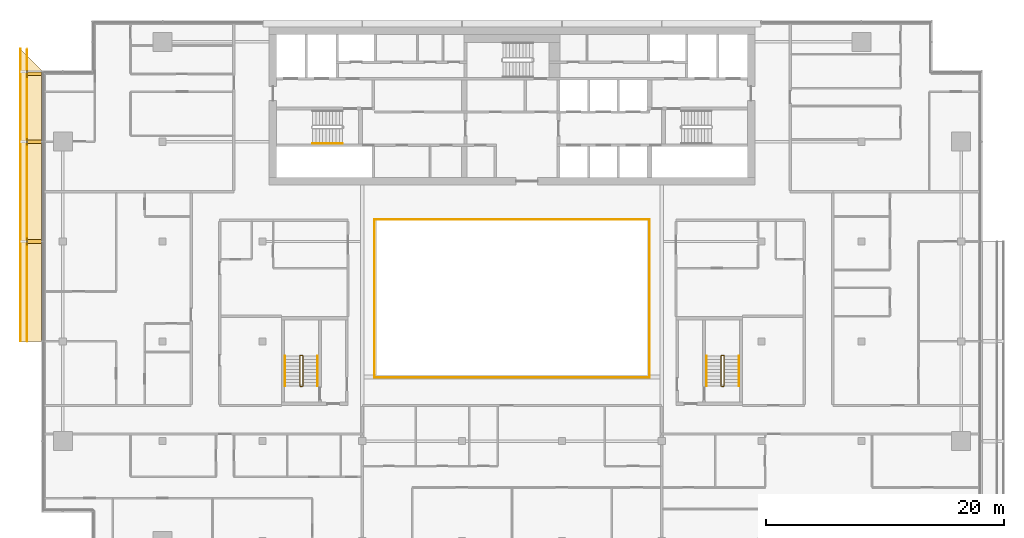
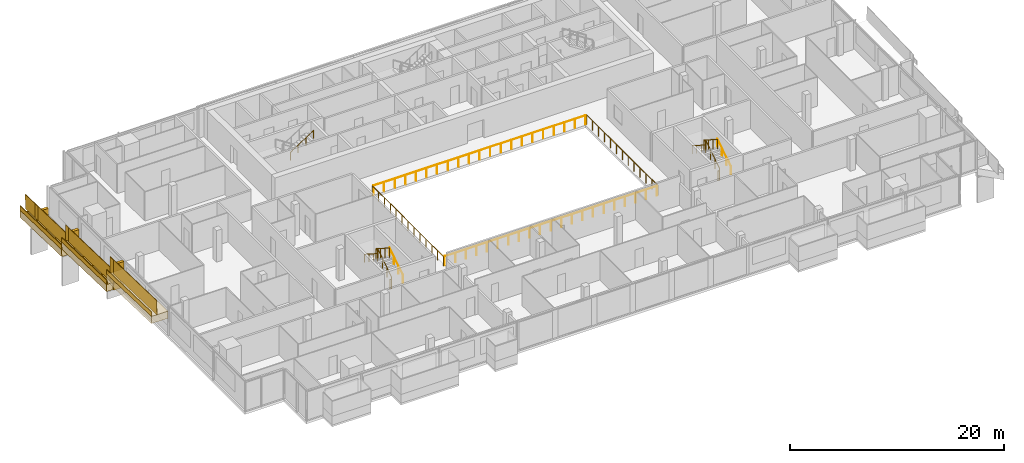
# One storey, part 27 of 29: 17 railings, 9 coverings.
"""IFC4 building model written with IfcOpenShell, lengths in metres."""

from ifc_helpers import new_model, si_unit, direction, frame, origin, origin_2d, place, context, subcontext, project, spatial, polyline, rectangle, circle, outline, extrude, material, layer, layer_set, type_object, element, save


model = new_model("IFC4")

# Units and contexts
model_context = context("Model", 3, precision=1e-05, world=origin(), true_north=direction((0.0, 1.0)))
body_context = subcontext(model_context, "Body", "Model", "MODEL_VIEW")
ifc_project = project(units=[si_unit("LENGTHUNIT", "METRE"), si_unit("AREAUNIT", "SQUARE_METRE"), si_unit("VOLUMEUNIT", "CUBIC_METRE"), si_unit("PLANEANGLEUNIT", "RADIAN"), si_unit("MASSUNIT", "GRAM", prefix="KILO")], contexts=[model_context])

# Site, building, storey
site_placement = place(None, origin())
site = spatial("IfcSite", under=ifc_project, at=site_placement, CompositionType="ELEMENT")
building_placement = place(site_placement, origin())
building = spatial("IfcBuilding", under=site, at=building_placement, Name="Saffron Gate Tower", CompositionType="ELEMENT")
storey_placement = place(building_placement, frame((0.0, 0.0, 219.89990234375)))
storey = spatial("IfcBuildingStorey", under=building, at=storey_placement, Name="L53", CompositionType="ELEMENT", Elevation=219.89990234375)

# Railings
ifc_material_1 = material(Name="Stainless steel and laminated glass", Category="steel")
railing_type_1 = type_object("IfcRailingType", Name="AG1 Atrium edge guard 1100", PredefinedType="GUARDRAIL", material=ifc_material_1)
railing_1_placement = place(storey_placement, frame((76.02001953125, 45.5400390625, 0.0)))
element("IfcRailing", 1, at=railing_1_placement, inside=storey, type_object=railing_type_1, Name="Guard D2-1", PredefinedType="GUARDRAIL", context=body_context, shape_type="SweptSolid", body=[
    extrude(circle(Radius=0.02392578125, at=origin_2d()), frame((0.0, 0.0, 1.076171875), z_axis=(0.0, 1.0, 0.0), x_axis=(-1.0, 0.0, 0.0)), (0.0, 0.0, 1.0), 13.320068359375),
    extrude(circle(Radius=0.02099609375, at=origin_2d()), origin(), (0.0, 0.0, 1.0), 1.052001953125),
    extrude(circle(Radius=0.02099609375, at=origin_2d()), frame((0.0, 1.110107421875, 0.0)), (0.0, 0.0, 1.0), 1.052001953125),
    extrude(circle(Radius=0.02099609375, at=origin_2d()), frame((0.0, 2.219970703125, 0.0)), (0.0, 0.0, 1.0), 1.052001953125),
    extrude(circle(Radius=0.02099609375, at=origin_2d()), frame((0.0, 3.330078125, 0.0)), (0.0, 0.0, 1.0), 1.052001953125),
    extrude(circle(Radius=0.02099609375, at=origin_2d()), frame((0.0, 4.43994140625, 0.0)), (0.0, 0.0, 1.0), 1.052001953125),
    extrude(circle(Radius=0.02099609375, at=origin_2d()), frame((0.0, 5.550048828125, 0.0)), (0.0, 0.0, 1.0), 1.052001953125),
    extrude(circle(Radius=0.02099609375, at=origin_2d()), frame((0.0, 6.66015625, 0.0)), (0.0, 0.0, 1.0), 1.052001953125),
    extrude(circle(Radius=0.02099609375, at=origin_2d()), frame((0.0, 7.77001953125, 0.0)), (0.0, 0.0, 1.0), 1.052001953125),
    extrude(circle(Radius=0.02099609375, at=origin_2d()), frame((0.0, 8.880126953125, 0.0)), (0.0, 0.0, 1.0), 1.052001953125),
    extrude(circle(Radius=0.02099609375, at=origin_2d()), frame((0.0, 9.989990234375, 0.0)), (0.0, 0.0, 1.0), 1.052001953125),
    extrude(circle(Radius=0.02099609375, at=origin_2d()), frame((0.0, 11.10009765625, 0.0)), (0.0, 0.0, 1.0), 1.052001953125),
    extrude(circle(Radius=0.02099609375, at=origin_2d()), frame((0.0, 12.2099609375, 0.0)), (0.0, 0.0, 1.0), 1.052001953125),
    extrude(circle(Radius=0.02099609375, at=origin_2d()), frame((0.0, 13.320068359375, 0.0)), (0.0, 0.0, 1.0), 1.052001953125),
])
railing_2_placement = place(storey_placement, frame((76.139892578125, 58.860107421875, 0.0)))
element("IfcRailing", 2, at=railing_2_placement, inside=storey, type_object=railing_type_1, Name="Guard D2-2", PredefinedType="GUARDRAIL", context=body_context, shape_type="SweptSolid", body=[
    extrude(circle(Radius=0.02392578125, at=origin_2d()), frame((0.0, 0.0, 1.076171875), z_axis=(1.0, 0.0, 0.0), x_axis=(0.0, 1.0, 0.0)), (0.0, 0.0, 1.0), 22.920166015625),
    extrude(circle(Radius=0.02099609375, at=origin_2d()), origin(), (0.0, 0.0, 1.0), 1.052001953125),
    extrude(circle(Radius=0.02099609375, at=origin_2d()), frame((1.14599609375, 0.0, 0.0)), (0.0, 0.0, 1.0), 1.052001953125),
    extrude(circle(Radius=0.02099609375, at=origin_2d()), frame((2.2919921875, 0.0, 0.0)), (0.0, 0.0, 1.0), 1.052001953125),
    extrude(circle(Radius=0.02099609375, at=origin_2d()), frame((3.43798828125, 0.0, 0.0)), (0.0, 0.0, 1.0), 1.052001953125),
    extrude(circle(Radius=0.02099609375, at=origin_2d()), frame((4.583984375, 0.0, 0.0)), (0.0, 0.0, 1.0), 1.052001953125),
    extrude(circle(Radius=0.02099609375, at=origin_2d()), frame((5.72998046875, 0.0, 0.0)), (0.0, 0.0, 1.0), 1.052001953125),
    extrude(circle(Radius=0.02099609375, at=origin_2d()), frame((6.8759765625, 0.0, 0.0)), (0.0, 0.0, 1.0), 1.052001953125),
    extrude(circle(Radius=0.02099609375, at=origin_2d()), frame((8.02197265625, 0.0, 0.0)), (0.0, 0.0, 1.0), 1.052001953125),
    extrude(circle(Radius=0.02099609375, at=origin_2d()), frame((9.16796875, 0.0, 0.0)), (0.0, 0.0, 1.0), 1.052001953125),
    extrude(circle(Radius=0.02099609375, at=origin_2d()), frame((10.31396484375, 0.0, 0.0)), (0.0, 0.0, 1.0), 1.052001953125),
    extrude(circle(Radius=0.02099609375, at=origin_2d()), frame((11.4599609375, 0.0, 0.0)), (0.0, 0.0, 1.0), 1.052001953125),
    extrude(circle(Radius=0.02099609375, at=origin_2d()), frame((12.606201171875, 0.0, 0.0)), (0.0, 0.0, 1.0), 1.052001953125),
    extrude(circle(Radius=0.02099609375, at=origin_2d()), frame((13.752197265625, 0.0, 0.0)), (0.0, 0.0, 1.0), 1.052001953125),
    extrude(circle(Radius=0.02099609375, at=origin_2d()), frame((14.898193359375, 0.0, 0.0)), (0.0, 0.0, 1.0), 1.052001953125),
    extrude(circle(Radius=0.02099609375, at=origin_2d()), frame((16.044189453125, 0.0, 0.0)), (0.0, 0.0, 1.0), 1.052001953125),
    extrude(circle(Radius=0.02099609375, at=origin_2d()), frame((17.190185546875, 0.0, 0.0)), (0.0, 0.0, 1.0), 1.052001953125),
    extrude(circle(Radius=0.02099609375, at=origin_2d()), frame((18.336181640625, 0.0, 0.0)), (0.0, 0.0, 1.0), 1.052001953125),
    extrude(circle(Radius=0.02099609375, at=origin_2d()), frame((19.482177734375, 0.0, 0.0)), (0.0, 0.0, 1.0), 1.052001953125),
    extrude(circle(Radius=0.02099609375, at=origin_2d()), frame((20.628173828125, 0.0, 0.0)), (0.0, 0.0, 1.0), 1.052001953125),
    extrude(circle(Radius=0.02099609375, at=origin_2d()), frame((21.774169921875, 0.0, 0.0)), (0.0, 0.0, 1.0), 1.052001953125),
    extrude(circle(Radius=0.02099609375, at=origin_2d()), frame((22.920166015625, 0.0, 0.0)), (0.0, 0.0, 1.0), 1.052001953125),
])
railing_3_placement = place(storey_placement, frame((99.179931640625, 58.860107421875, 0.0)))
element("IfcRailing", 3, at=railing_3_placement, inside=storey, type_object=railing_type_1, Name="Guard D2-3", PredefinedType="GUARDRAIL", context=body_context, shape_type="SweptSolid", body=[
    extrude(circle(Radius=0.02392578125, at=origin_2d()), frame((0.0, 0.0, 1.076171875), z_axis=(0.0, -1.0, 0.0), x_axis=(1.0, 0.0, 0.0)), (0.0, 0.0, 1.0), 13.320068359375),
    extrude(circle(Radius=0.02099609375, at=origin_2d()), origin(), (0.0, 0.0, 1.0), 1.052001953125),
    extrude(circle(Radius=0.02099609375, at=origin_2d()), frame((0.0, -1.110107421875, 0.0)), (0.0, 0.0, 1.0), 1.052001953125),
    extrude(circle(Radius=0.02099609375, at=origin_2d()), frame((0.0, -2.219970703125, 0.0)), (0.0, 0.0, 1.0), 1.052001953125),
    extrude(circle(Radius=0.02099609375, at=origin_2d()), frame((0.0, -3.330078125, 0.0)), (0.0, 0.0, 1.0), 1.052001953125),
    extrude(circle(Radius=0.02099609375, at=origin_2d()), frame((0.0, -4.43994140625, 0.0)), (0.0, 0.0, 1.0), 1.052001953125),
    extrude(circle(Radius=0.02099609375, at=origin_2d()), frame((0.0, -5.550048828125, 0.0)), (0.0, 0.0, 1.0), 1.052001953125),
    extrude(circle(Radius=0.02099609375, at=origin_2d()), frame((0.0, -6.66015625, 0.0)), (0.0, 0.0, 1.0), 1.052001953125),
    extrude(circle(Radius=0.02099609375, at=origin_2d()), frame((0.0, -7.77001953125, 0.0)), (0.0, 0.0, 1.0), 1.052001953125),
    extrude(circle(Radius=0.02099609375, at=origin_2d()), frame((0.0, -8.880126953125, 0.0)), (0.0, 0.0, 1.0), 1.052001953125),
    extrude(circle(Radius=0.02099609375, at=origin_2d()), frame((0.0, -9.989990234375, 0.0)), (0.0, 0.0, 1.0), 1.052001953125),
    extrude(circle(Radius=0.02099609375, at=origin_2d()), frame((0.0, -11.10009765625, 0.0)), (0.0, 0.0, 1.0), 1.052001953125),
    extrude(circle(Radius=0.02099609375, at=origin_2d()), frame((0.0, -12.2099609375, 0.0)), (0.0, 0.0, 1.0), 1.052001953125),
    extrude(circle(Radius=0.02099609375, at=origin_2d()), frame((0.0, -13.320068359375, 0.0)), (0.0, 0.0, 1.0), 1.052001953125),
])
railing_4_placement = place(storey_placement, frame((99.06005859375, 45.5400390625, 0.0)))
element("IfcRailing", 4, at=railing_4_placement, inside=storey, type_object=railing_type_1, Name="Guard D2-4", PredefinedType="GUARDRAIL", context=body_context, shape_type="SweptSolid", body=[
    extrude(circle(Radius=0.02392578125, at=origin_2d()), frame((0.0, 0.0, 1.076171875), z_axis=(-1.0, 0.0, 0.0), x_axis=(0.0, -1.0, 0.0)), (0.0, 0.0, 1.0), 22.920166015625),
    extrude(circle(Radius=0.02099609375, at=origin_2d()), origin(), (0.0, 0.0, 1.0), 1.052001953125),
    extrude(circle(Radius=0.02099609375, at=origin_2d()), frame((-1.14599609375, 0.0, 0.0)), (0.0, 0.0, 1.0), 1.052001953125),
    extrude(circle(Radius=0.02099609375, at=origin_2d()), frame((-2.2919921875, 0.0, 0.0)), (0.0, 0.0, 1.0), 1.052001953125),
    extrude(circle(Radius=0.02099609375, at=origin_2d()), frame((-3.43798828125, 0.0, 0.0)), (0.0, 0.0, 1.0), 1.052001953125),
    extrude(circle(Radius=0.02099609375, at=origin_2d()), frame((-4.583984375, 0.0, 0.0)), (0.0, 0.0, 1.0), 1.052001953125),
    extrude(circle(Radius=0.02099609375, at=origin_2d()), frame((-5.72998046875, 0.0, 0.0)), (0.0, 0.0, 1.0), 1.052001953125),
    extrude(circle(Radius=0.02099609375, at=origin_2d()), frame((-6.8759765625, 0.0, 0.0)), (0.0, 0.0, 1.0), 1.052001953125),
    extrude(circle(Radius=0.02099609375, at=origin_2d()), frame((-8.02197265625, 0.0, 0.0)), (0.0, 0.0, 1.0), 1.052001953125),
    extrude(circle(Radius=0.02099609375, at=origin_2d()), frame((-9.16796875, 0.0, 0.0)), (0.0, 0.0, 1.0), 1.052001953125),
    extrude(circle(Radius=0.02099609375, at=origin_2d()), frame((-10.31396484375, 0.0, 0.0)), (0.0, 0.0, 1.0), 1.052001953125),
    extrude(circle(Radius=0.02099609375, at=origin_2d()), frame((-11.4599609375, 0.0, 0.0)), (0.0, 0.0, 1.0), 1.052001953125),
    extrude(circle(Radius=0.02099609375, at=origin_2d()), frame((-12.606201171875, 0.0, 0.0)), (0.0, 0.0, 1.0), 1.052001953125),
    extrude(circle(Radius=0.02099609375, at=origin_2d()), frame((-13.752197265625, 0.0, 0.0)), (0.0, 0.0, 1.0), 1.052001953125),
    extrude(circle(Radius=0.02099609375, at=origin_2d()), frame((-14.898193359375, 0.0, 0.0)), (0.0, 0.0, 1.0), 1.052001953125),
    extrude(circle(Radius=0.02099609375, at=origin_2d()), frame((-16.044189453125, 0.0, 0.0)), (0.0, 0.0, 1.0), 1.052001953125),
    extrude(circle(Radius=0.02099609375, at=origin_2d()), frame((-17.190185546875, 0.0, 0.0)), (0.0, 0.0, 1.0), 1.052001953125),
    extrude(circle(Radius=0.02099609375, at=origin_2d()), frame((-18.336181640625, 0.0, 0.0)), (0.0, 0.0, 1.0), 1.052001953125),
    extrude(circle(Radius=0.02099609375, at=origin_2d()), frame((-19.482177734375, 0.0, 0.0)), (0.0, 0.0, 1.0), 1.052001953125),
    extrude(circle(Radius=0.02099609375, at=origin_2d()), frame((-20.628173828125, 0.0, 0.0)), (0.0, 0.0, 1.0), 1.052001953125),
    extrude(circle(Radius=0.02099609375, at=origin_2d()), frame((-21.774169921875, 0.0, 0.0)), (0.0, 0.0, 1.0), 1.052001953125),
    extrude(circle(Radius=0.02099609375, at=origin_2d()), frame((-22.920166015625, 0.0, 0.0)), (0.0, 0.0, 1.0), 1.052001953125),
])
railing_type_2 = type_object("IfcRailingType", Name="CR1 Stair guard 1100", PredefinedType="GUARDRAIL", material=ifc_material_1)
railing_5_placement = place(storey_placement, frame((69.800048828125, 44.800048828125, 0.0)))
element("IfcRailing", 5, at=railing_5_placement, inside=storey, type_object=railing_type_2, Name="L53 ST-D stair guard 1", PredefinedType="GUARDRAIL", context=body_context, shape_type="SweptSolid", body=[
    extrude(circle(Radius=0.02392578125, at=origin_2d()), frame((0.0, 0.0, 1.076171875), z_axis=(1.0, 0.0, 0.0), x_axis=(0.0, 1.0, 0.0)), (0.0, 0.0, 1.0), 0.14990234375),
    extrude(circle(Radius=0.02392578125, at=origin_2d()), frame((0.14990234375, 0.0, 1.076171875), z_axis=(0.258543844998, 0.258543844998, 0.930757841991), x_axis=(-0.707106781187, 0.707106781187, 0.0)), (0.0, 0.0, 1.0), 0.193603515625),
    extrude(circle(Radius=0.02392578125, at=origin_2d()), frame((0.199951171875, 0.050048828125, 1.25634765625), z_axis=(0.0, 0.841199657755, 0.540724639528), x_axis=(-1.0, 0.0, 0.0)), (0.0, 0.0, 1.0), 2.995849609375),
    extrude(circle(Radius=0.02392578125, at=origin_2d()), frame((0.199951171875, 2.570068359375, 2.8759765625), z_axis=(-0.708833529934, 0.705375805398, 0.0), x_axis=(-0.705375805398, -0.708833529934, 0.0)), (0.0, 0.0, 1.0), 0.070556640625),
    extrude(circle(Radius=0.02392578125, at=origin_2d()), frame((0.14990234375, 2.619873046875, 2.8759765625), z_axis=(-1.0, 0.0, 0.0), x_axis=(0.0, -1.0, 0.0)), (0.0, 0.0, 1.0), 0.14990234375),
    extrude(circle(Radius=0.02392578125, at=origin_2d()), frame((0.0, 2.619873046875, 2.8759765625), z_axis=(-0.258932105505, -0.257669022063, 0.930892496375), x_axis=(0.705375805398, -0.708833529934, 0.0)), (0.0, 0.0, 1.0), 0.193359375),
    extrude(circle(Radius=0.02392578125, at=origin_2d()), frame((-0.050048828125, 2.570068359375, 3.05615234375), z_axis=(0.0, -0.841162588446, 0.540782303519), x_axis=(1.0, 0.0, 0.0)), (0.0, 0.0, 1.0), 2.995849609375),
    extrude(circle(Radius=0.02099609375, at=origin_2d()), origin(), (0.0, 0.0, 1.0), 1.052001953125),
    extrude(circle(Radius=0.02099609375, at=origin_2d()), frame((0.14990234375, 0.0, 0.0)), (0.0, 0.0, 1.0), 1.052001953125),
    extrude(circle(Radius=0.02099609375, at=origin_2d()), frame((0.199951171875, 0.050048828125, 0.18017578125)), (0.0, 0.0, 1.0), 1.052001953125),
    extrude(circle(Radius=0.02099609375, at=origin_2d()), frame((0.199951171875, 0.89013671875, 0.72021484375)), (0.0, 0.0, 1.0), 1.052001953125),
    extrude(circle(Radius=0.02099609375, at=origin_2d()), frame((0.199951171875, 1.72998046875, 1.260009765625)), (0.0, 0.0, 1.0), 1.052001953125),
    extrude(circle(Radius=0.02099609375, at=origin_2d()), frame((0.199951171875, 2.570068359375, 1.800048828125)), (0.0, 0.0, 1.0), 1.052001953125),
    extrude(circle(Radius=0.02099609375, at=origin_2d()), frame((0.14990234375, 2.619873046875, 1.800048828125)), (0.0, 0.0, 1.0), 1.052001953125),
    extrude(circle(Radius=0.02099609375, at=origin_2d()), frame((0.0, 2.619873046875, 1.800048828125)), (0.0, 0.0, 1.0), 1.052001953125),
    extrude(circle(Radius=0.02099609375, at=origin_2d()), frame((-0.050048828125, 2.570068359375, 1.97998046875)), (0.0, 0.0, 1.0), 1.052001953125),
    extrude(circle(Radius=0.02099609375, at=origin_2d()), frame((-0.050048828125, 1.72998046875, 2.52001953125)), (0.0, 0.0, 1.0), 1.052001953125),
    extrude(circle(Radius=0.02099609375, at=origin_2d()), frame((-0.050048828125, 0.89013671875, 3.06005859375)), (0.0, 0.0, 1.0), 1.052001953125),
    extrude(circle(Radius=0.02099609375, at=origin_2d()), frame((-0.050048828125, 0.050048828125, 3.60009765625)), (0.0, 0.0, 1.0), 1.052001953125),
])
railing_6_placement = place(storey_placement, frame((105.25, 44.800048828125, 0.0)))
element("IfcRailing", 6, at=railing_6_placement, inside=storey, type_object=railing_type_2, Name="L53 ST-E stair guard 1", PredefinedType="GUARDRAIL", context=body_context, shape_type="SweptSolid", body=[
    extrude(circle(Radius=0.02392578125, at=origin_2d()), frame((0.0, 0.0, 1.076171875), z_axis=(1.0, 0.0, 0.0), x_axis=(0.0, 1.0, 0.0)), (0.0, 0.0, 1.0), 0.14990234375),
    extrude(circle(Radius=0.02392578125, at=origin_2d()), frame((0.14990234375, 0.0, 1.076171875), z_axis=(0.258543844998, 0.258543844998, 0.930757841991), x_axis=(-0.707106781187, 0.707106781187, 0.0)), (0.0, 0.0, 1.0), 0.193603515625),
    extrude(circle(Radius=0.02392578125, at=origin_2d()), frame((0.199951171875, 0.050048828125, 1.25634765625), z_axis=(0.0, 0.841199657755, 0.540724639528), x_axis=(-1.0, 0.0, 0.0)), (0.0, 0.0, 1.0), 2.995849609375),
    extrude(circle(Radius=0.02392578125, at=origin_2d()), frame((0.199951171875, 2.570068359375, 2.8759765625), z_axis=(-0.708833529934, 0.705375805398, 0.0), x_axis=(-0.705375805398, -0.708833529934, 0.0)), (0.0, 0.0, 1.0), 0.070556640625),
    extrude(circle(Radius=0.02392578125, at=origin_2d()), frame((0.14990234375, 2.619873046875, 2.8759765625), z_axis=(-1.0, 0.0, 0.0), x_axis=(0.0, -1.0, 0.0)), (0.0, 0.0, 1.0), 0.14990234375),
    extrude(circle(Radius=0.02392578125, at=origin_2d()), frame((0.0, 2.619873046875, 2.8759765625), z_axis=(-0.258932105505, -0.257669022063, 0.930892496375), x_axis=(0.705375805398, -0.708833529934, 0.0)), (0.0, 0.0, 1.0), 0.193359375),
    extrude(circle(Radius=0.02392578125, at=origin_2d()), frame((-0.050048828125, 2.570068359375, 3.05615234375), z_axis=(0.0, -0.841162588446, 0.540782303519), x_axis=(1.0, 0.0, 0.0)), (0.0, 0.0, 1.0), 2.995849609375),
    extrude(circle(Radius=0.02099609375, at=origin_2d()), origin(), (0.0, 0.0, 1.0), 1.052001953125),
    extrude(circle(Radius=0.02099609375, at=origin_2d()), frame((0.14990234375, 0.0, 0.0)), (0.0, 0.0, 1.0), 1.052001953125),
    extrude(circle(Radius=0.02099609375, at=origin_2d()), frame((0.199951171875, 0.050048828125, 0.18017578125)), (0.0, 0.0, 1.0), 1.052001953125),
    extrude(circle(Radius=0.02099609375, at=origin_2d()), frame((0.199951171875, 0.89013671875, 0.72021484375)), (0.0, 0.0, 1.0), 1.052001953125),
    extrude(circle(Radius=0.02099609375, at=origin_2d()), frame((0.199951171875, 1.72998046875, 1.260009765625)), (0.0, 0.0, 1.0), 1.052001953125),
    extrude(circle(Radius=0.02099609375, at=origin_2d()), frame((0.199951171875, 2.570068359375, 1.800048828125)), (0.0, 0.0, 1.0), 1.052001953125),
    extrude(circle(Radius=0.02099609375, at=origin_2d()), frame((0.14990234375, 2.619873046875, 1.800048828125)), (0.0, 0.0, 1.0), 1.052001953125),
    extrude(circle(Radius=0.02099609375, at=origin_2d()), frame((0.0, 2.619873046875, 1.800048828125)), (0.0, 0.0, 1.0), 1.052001953125),
    extrude(circle(Radius=0.02099609375, at=origin_2d()), frame((-0.050048828125, 2.570068359375, 1.97998046875)), (0.0, 0.0, 1.0), 1.052001953125),
    extrude(circle(Radius=0.02099609375, at=origin_2d()), frame((-0.050048828125, 1.72998046875, 2.52001953125)), (0.0, 0.0, 1.0), 1.052001953125),
    extrude(circle(Radius=0.02099609375, at=origin_2d()), frame((-0.050048828125, 0.89013671875, 3.06005859375)), (0.0, 0.0, 1.0), 1.052001953125),
    extrude(circle(Radius=0.02099609375, at=origin_2d()), frame((-0.050048828125, 0.050048828125, 3.60009765625)), (0.0, 0.0, 1.0), 1.052001953125),
])
ifc_material_2 = material(Name="Stainless steel", Category="steel")
railing_type_3 = type_object("IfcRailingType", Name="CR2 Stair handrail 900", PredefinedType="HANDRAIL", material=ifc_material_2)
railing_7_placement = place(storey_placement, frame((70.830078125, 65.25, 1.97998046875)))
element("IfcRailing", 7, at=railing_7_placement, inside=storey, type_object=railing_type_3, Name="L53 ST-A stair handrail 2", PredefinedType="HANDRAIL", context=body_context, shape_type="SweptSolid", body=[
    extrude(circle(Radius=0.02392578125, at=origin_2d()), frame((0.0, 0.0, 0.8759765625), z_axis=(0.841162588446, 0.0, 0.540782303519), x_axis=(0.0, 1.0, 0.0)), (0.0, 0.0, 1.0), 2.995849609375),
    extrude(circle(Radius=0.02099609375, at=origin_2d()), origin(), (0.0, 0.0, 1.0), 0.851806640625),
    extrude(circle(Radius=0.02099609375, at=origin_2d()), frame((0.840087890625, 0.0, 0.5400390625)), (0.0, 0.0, 1.0), 0.851806640625),
    extrude(circle(Radius=0.02099609375, at=origin_2d()), frame((1.679931640625, 0.0, 1.080078125)), (0.0, 0.0, 1.0), 0.851806640625),
    extrude(circle(Radius=0.02099609375, at=origin_2d()), frame((2.52001953125, 0.0, 1.6201171875)), (0.0, 0.0, 1.0), 0.851806640625),
])
railing_8_placement = place(storey_placement, frame((71.25, 44.85009765625, 0.18017578125)))
element("IfcRailing", 8, at=railing_8_placement, inside=storey, type_object=railing_type_3, Name="L53 ST-D stair handrail 1", PredefinedType="HANDRAIL", context=body_context, shape_type="SweptSolid", body=[
    extrude(circle(Radius=0.02392578125, at=origin_2d()), frame((0.0, 0.0, 0.8759765625), z_axis=(0.0, 0.841199657755, 0.540724639528), x_axis=(-1.0, 0.0, 0.0)), (0.0, 0.0, 1.0), 2.995849609375),
    extrude(circle(Radius=0.02099609375, at=origin_2d()), origin(), (0.0, 0.0, 1.0), 0.851806640625),
    extrude(circle(Radius=0.02099609375, at=origin_2d()), frame((0.0, 0.840087890625, 0.5400390625)), (0.0, 0.0, 1.0), 0.851806640625),
    extrude(circle(Radius=0.02099609375, at=origin_2d()), frame((0.0, 1.679931640625, 1.079833984375)), (0.0, 0.0, 1.0), 0.851806640625),
    extrude(circle(Radius=0.02099609375, at=origin_2d()), frame((0.0, 2.52001953125, 1.619873046875)), (0.0, 0.0, 1.0), 0.851806640625),
])
railing_9_placement = place(storey_placement, frame((68.5, 47.3701171875, 1.97998046875)))
element("IfcRailing", 9, at=railing_9_placement, inside=storey, type_object=railing_type_3, Name="L53 ST-D stair handrail 2", PredefinedType="HANDRAIL", context=body_context, shape_type="SweptSolid", body=[
    extrude(circle(Radius=0.02392578125, at=origin_2d()), frame((0.0, 0.0, 0.8759765625), z_axis=(0.0, -0.841162588446, 0.540782303519), x_axis=(1.0, 0.0, 0.0)), (0.0, 0.0, 1.0), 2.995849609375),
    extrude(circle(Radius=0.02099609375, at=origin_2d()), origin(), (0.0, 0.0, 1.0), 0.851806640625),
    extrude(circle(Radius=0.02099609375, at=origin_2d()), frame((0.0, -0.840087890625, 0.5400390625)), (0.0, 0.0, 1.0), 0.851806640625),
    extrude(circle(Radius=0.02099609375, at=origin_2d()), frame((0.0, -1.679931640625, 1.080078125)), (0.0, 0.0, 1.0), 0.851806640625),
    extrude(circle(Radius=0.02099609375, at=origin_2d()), frame((0.0, -2.52001953125, 1.6201171875)), (0.0, 0.0, 1.0), 0.851806640625),
])
railing_10_placement = place(storey_placement, frame((106.699951171875, 44.85009765625, 0.18017578125)))
element("IfcRailing", 10, at=railing_10_placement, inside=storey, type_object=railing_type_3, Name="L53 ST-E stair handrail 1", PredefinedType="HANDRAIL", context=body_context, shape_type="SweptSolid", body=[
    extrude(circle(Radius=0.02392578125, at=origin_2d()), frame((0.0, 0.0, 0.8759765625), z_axis=(0.0, 0.841199657755, 0.540724639528), x_axis=(-1.0, 0.0, 0.0)), (0.0, 0.0, 1.0), 2.995849609375),
    extrude(circle(Radius=0.02099609375, at=origin_2d()), origin(), (0.0, 0.0, 1.0), 0.851806640625),
    extrude(circle(Radius=0.02099609375, at=origin_2d()), frame((0.0, 0.840087890625, 0.5400390625)), (0.0, 0.0, 1.0), 0.851806640625),
    extrude(circle(Radius=0.02099609375, at=origin_2d()), frame((0.0, 1.679931640625, 1.079833984375)), (0.0, 0.0, 1.0), 0.851806640625),
    extrude(circle(Radius=0.02099609375, at=origin_2d()), frame((0.0, 2.52001953125, 1.619873046875)), (0.0, 0.0, 1.0), 0.851806640625),
])
railing_11_placement = place(storey_placement, frame((103.949951171875, 47.3701171875, 1.97998046875)))
element("IfcRailing", 11, at=railing_11_placement, inside=storey, type_object=railing_type_3, Name="L53 ST-E stair handrail 2", PredefinedType="HANDRAIL", context=body_context, shape_type="SweptSolid", body=[
    extrude(circle(Radius=0.02392578125, at=origin_2d()), frame((0.0, 0.0, 0.8759765625), z_axis=(0.0, -0.841162588446, 0.540782303519), x_axis=(1.0, 0.0, 0.0)), (0.0, 0.0, 1.0), 2.995849609375),
    extrude(circle(Radius=0.02099609375, at=origin_2d()), origin(), (0.0, 0.0, 1.0), 0.851806640625),
    extrude(circle(Radius=0.02099609375, at=origin_2d()), frame((0.0, -0.840087890625, 0.5400390625)), (0.0, 0.0, 1.0), 0.851806640625),
    extrude(circle(Radius=0.02099609375, at=origin_2d()), frame((0.0, -1.679931640625, 1.080078125)), (0.0, 0.0, 1.0), 0.851806640625),
    extrude(circle(Radius=0.02099609375, at=origin_2d()), frame((0.0, -2.52001953125, 1.6201171875)), (0.0, 0.0, 1.0), 0.851806640625),
])

# Coverings
ifc_material_3 = material(Name="Timber, thermally modified ash", Category="wood")
ifc_layer_1 = layer(ifc_material_3, 0.800048828125)
ifc_layer_set_1 = layer_set([ifc_layer_1], Name="LD1 ledge timber")
covering_type_1 = type_object("IfcCoveringType", Name="LD1 ledge timber", PredefinedType="CLADDING", material=ifc_layer_set_1)
covering_1_placement = place(storey_placement, frame((48.0, 71.39990234375, 0.099365234375), z_axis=(-3.5027307e-05, 0.028807146299, 0.99958498743), x_axis=(-3.68e-10, -0.999584988043, 0.028807146316)))
element("IfcCovering", 12, at=covering_1_placement, inside=storey, type_object=covering_type_1, Name="LEDGE", PredefinedType="CLADDING", context=body_context, shape_type="SweptSolid", body=[
    extrude(outline(polyline([(0.0, 0.0), (6.0024892885105, 2.541098841762901e-21), (6.002489289172793, -1.8000488270207489), (-1.800799813548424, -1.8000488321003227), (0.0, 0.0)])), origin(), (0.0, 0.0, -1.0), 0.800048828125),
])
for number, where, z_axis, x_axis, name in (
    (13, (48.0, 65.39990234375, 1.129638671875), (0.0, 0.028791175352, 0.999585448184), (0.0, -0.999585448184, 0.028791175352), "LEDGE"),
    (14, (48.0, 57.0, 2.57177734375), (0.0, 0.028791175352, 0.999585448184), (0.0, -0.999585448184, 0.028791175352), "LEDGE"),
):
    element("IfcCovering", number, at=place(storey_placement, frame(where, z_axis=z_axis, x_axis=x_axis)), inside=storey, type_object=covering_type_1, Name=name, PredefinedType="CLADDING", context=body_context, shape_type="SweptSolid", body=[
        extrude(outline(polyline([(0.0, 0.0), (8.403385982666892, 0.0), (8.403385982666892, -1.800048828125), (0.0, -1.800048828125), (0.0, 0.0)])), origin(), (0.0, 0.0, -1.0), 0.800048828125),
    ])
ifc_layer_2 = layer(ifc_material_3, 0.080078125)
ifc_layer_set_2 = layer_set([ifc_layer_2], Name="LD2 ledge planter trough")
covering_type_2 = type_object("IfcCoveringType", Name="LD2 ledge planter trough", PredefinedType="CLADDING", material=ifc_layer_set_2)
covering_2_placement = place(storey_placement, frame((46.199951171875, 73.199951171875, 0.04736328125), z_axis=(-1.0, 0.0, 0.0), x_axis=(0.0, -0.999584755248, 0.028815222999)))
element("IfcCovering", 15, at=covering_2_placement, inside=storey, type_object=covering_type_2, Name="LEDGE planter trough", PredefinedType="CLADDING", context=body_context, shape_type="SweptSolid", body=[
    extrude(outline(polyline([(0.0, 0.0), (7.803289102975944, 0.0), (7.8176967144752565, 0.4997923776238338), (0.014407611499312996, 0.4997923776238338), (0.0, 0.0)])), origin(), (0.0, 0.0, -1.0), 0.080078125),
])
for number, where, z_axis, x_axis, name in (
    (16, (46.199951171875, 65.39990234375, 1.129638671875), (-1.0, 0.0, 0.0), (0.0, -0.999585448184, 0.028791175352), "LEDGE planter trough"),
    (17, (46.199951171875, 57.0, 2.57177734375), (-1.0, 0.0, 0.0), (0.0, -0.999585448184, 0.028791175352), "LEDGE planter trough"),
):
    element("IfcCovering", number, at=place(storey_placement, frame(where, z_axis=z_axis, x_axis=x_axis)), inside=storey, type_object=covering_type_2, Name=name, PredefinedType="CLADDING", context=body_context, shape_type="SweptSolid", body=[
        extrude(outline(polyline([(0.0, 0.0), (8.403385982666892, 0.0), (8.417781570342743, 0.49979272409216496), (0.014395587675851172, 0.4997927240921649), (0.0, 0.0)])), origin(), (0.0, 0.0, -1.0), 0.080078125),
    ])
ifc_layer_3 = layer(ifc_material_3, 0.300048828125)
ifc_layer_set_3 = layer_set([ifc_layer_3], Name="LD3 ledge riser fin")
covering_type_3 = type_object("IfcCoveringType", Name="LD3 ledge riser fin", PredefinedType="CLADDING", material=ifc_layer_set_3)
covering_3_placement = place(storey_placement, frame((47.43994140625, 71.10009765625, -0.9580078125), z_axis=(0.0, 0.0, 1.0), x_axis=(0.0, -1.0, 0.0)))
element("IfcCovering", 18, at=covering_3_placement, inside=storey, type_object=covering_type_3, Name="LEDGE riser fin", PredefinedType="CLADDING", context=body_context, shape_type="SweptSolid", body=[
    extrude(rectangle(XDim=0.300048828125, YDim=1.1201171875, at=origin_2d()), origin(), (0.0, 0.0, 1.0), 1.957275390625),
])
covering_4_placement = place(storey_placement, frame((47.43994140625, 65.39990234375, -0.52783203125), z_axis=(0.0, 0.0, 1.0), x_axis=(0.0, -1.0, 0.0)))
element("IfcCovering", 19, at=covering_4_placement, inside=storey, type_object=covering_type_3, Name="LEDGE riser fin", PredefinedType="CLADDING", context=body_context, shape_type="SweptSolid", body=[
    extrude(rectangle(XDim=0.300048828125, YDim=1.1201171875, at=origin_2d()), origin(), (0.0, 0.0, 1.0), 2.557373046875),
])
covering_5_placement = place(storey_placement, frame((47.43994140625, 57.0, 0.571533203125), z_axis=(0.0, 0.0, 1.0), x_axis=(0.0, -1.0, 0.0)))
element("IfcCovering", 20, at=covering_5_placement, inside=storey, type_object=covering_type_3, Name="LEDGE riser fin", PredefinedType="CLADDING", context=body_context, shape_type="SweptSolid", body=[
    extrude(rectangle(XDim=0.300048828125, YDim=1.1201171875, at=origin_2d()), origin(), (0.0, 0.0, 1.0), 2.900390625),
])

# Railings
railing_type_4 = type_object("IfcRailingType", Name="LG1 ledge balustrade", PredefinedType="BALUSTRADE", material=ifc_material_3)
railing_12_placement = place(storey_placement, frame((46.800048828125, 73.199951171875, 0.04736328125)))
element("IfcRailing", 21, at=railing_12_placement, inside=storey, type_object=railing_type_4, Name="LEDGE BALUSTRADE", PredefinedType="BALUSTRADE", context=body_context, shape_type="SweptSolid", body=[
    extrude(rectangle(XDim=0.06005859375, YDim=1.60009765625, at=origin_2d()), frame((0.0, 0.0, 0.800048828125), z_axis=(0.0, -0.999584755248, 0.028815222999), x_axis=(1.0, 0.0, 0.0)), (0.0, 0.0, 1.0), 7.80322265625),
])
railing_13_placement = place(storey_placement, frame((46.800048828125, 71.39990234375, -0.157958984375)))
element("IfcRailing", 22, at=railing_13_placement, inside=storey, type_object=railing_type_4, Name="LEDGE BALUSTRADE", PredefinedType="BALUSTRADE", context=body_context, shape_type="SweptSolid", body=[
    extrude(rectangle(XDim=0.06005859375, YDim=1.857177734375, at=origin_2d()), frame((0.0, 0.0, 0.9287109375), z_axis=(0.0, -1.0, 0.0), x_axis=(1.0, 0.0, 0.0)), (0.0, 0.0, 1.0), 0.599853515625),
])
railing_14_placement = place(storey_placement, frame((46.800048828125, 65.39990234375, 1.129638671875)))
element("IfcRailing", 23, at=railing_14_placement, inside=storey, type_object=railing_type_4, Name="LEDGE BALUSTRADE", PredefinedType="BALUSTRADE", context=body_context, shape_type="SweptSolid", body=[
    extrude(rectangle(XDim=0.06005859375, YDim=1.60009765625, at=origin_2d()), frame((0.0, 0.0, 0.800048828125), z_axis=(0.0, -0.999585448184, 0.028791175352), x_axis=(1.0, 0.0, 0.0)), (0.0, 0.0, 1.0), 8.4033203125),
])
railing_15_placement = place(storey_placement, frame((46.800048828125, 65.699951171875, 0.272216796875)))
element("IfcRailing", 24, at=railing_15_placement, inside=storey, type_object=railing_type_4, Name="LEDGE BALUSTRADE", PredefinedType="BALUSTRADE", context=body_context, shape_type="SweptSolid", body=[
    extrude(rectangle(XDim=0.06005859375, YDim=2.45751953125, at=origin_2d()), frame((0.0, 0.0, 1.228759765625), z_axis=(0.0, -1.0, 0.0), x_axis=(1.0, 0.0, 0.0)), (0.0, 0.0, 1.0), 0.599853515625),
])
railing_16_placement = place(storey_placement, frame((46.800048828125, 57.0, 2.57177734375)))
element("IfcRailing", 25, at=railing_16_placement, inside=storey, type_object=railing_type_4, Name="LEDGE BALUSTRADE", PredefinedType="BALUSTRADE", context=body_context, shape_type="SweptSolid", body=[
    extrude(rectangle(XDim=0.06005859375, YDim=1.60009765625, at=origin_2d()), frame((0.0, 0.0, 0.800048828125), z_axis=(0.0, -0.999585448184, 0.028791175352), x_axis=(1.0, 0.0, 0.0)), (0.0, 0.0, 1.0), 8.4033203125),
])
railing_17_placement = place(storey_placement, frame((46.800048828125, 57.300048828125, 1.37158203125)))
element("IfcRailing", 26, at=railing_17_placement, inside=storey, type_object=railing_type_4, Name="LEDGE BALUSTRADE", PredefinedType="BALUSTRADE", context=body_context, shape_type="SweptSolid", body=[
    extrude(rectangle(XDim=0.06005859375, YDim=2.80029296875, at=origin_2d()), frame((0.0, 0.0, 1.400146484375), z_axis=(0.0, -1.0, 0.0), x_axis=(1.0, 0.0, 0.0)), (0.0, 0.0, 1.0), 0.60009765625),
])

save(model, "model.ifc")
